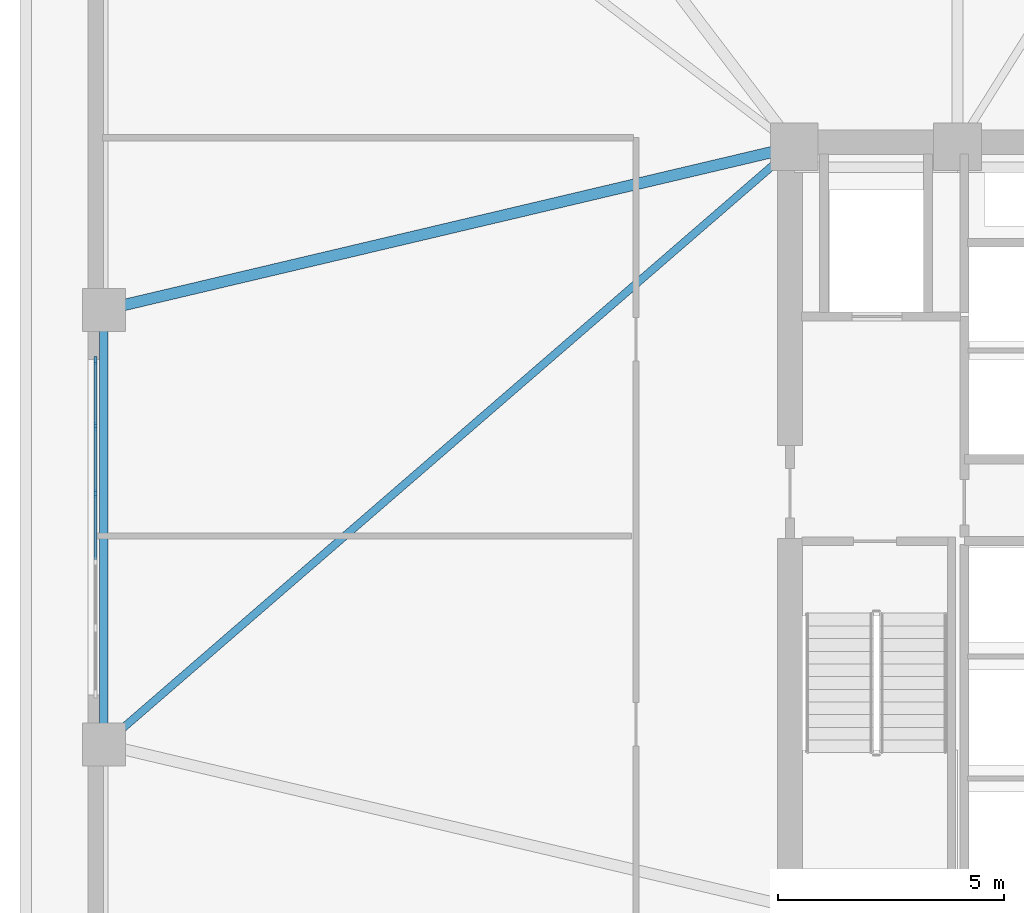
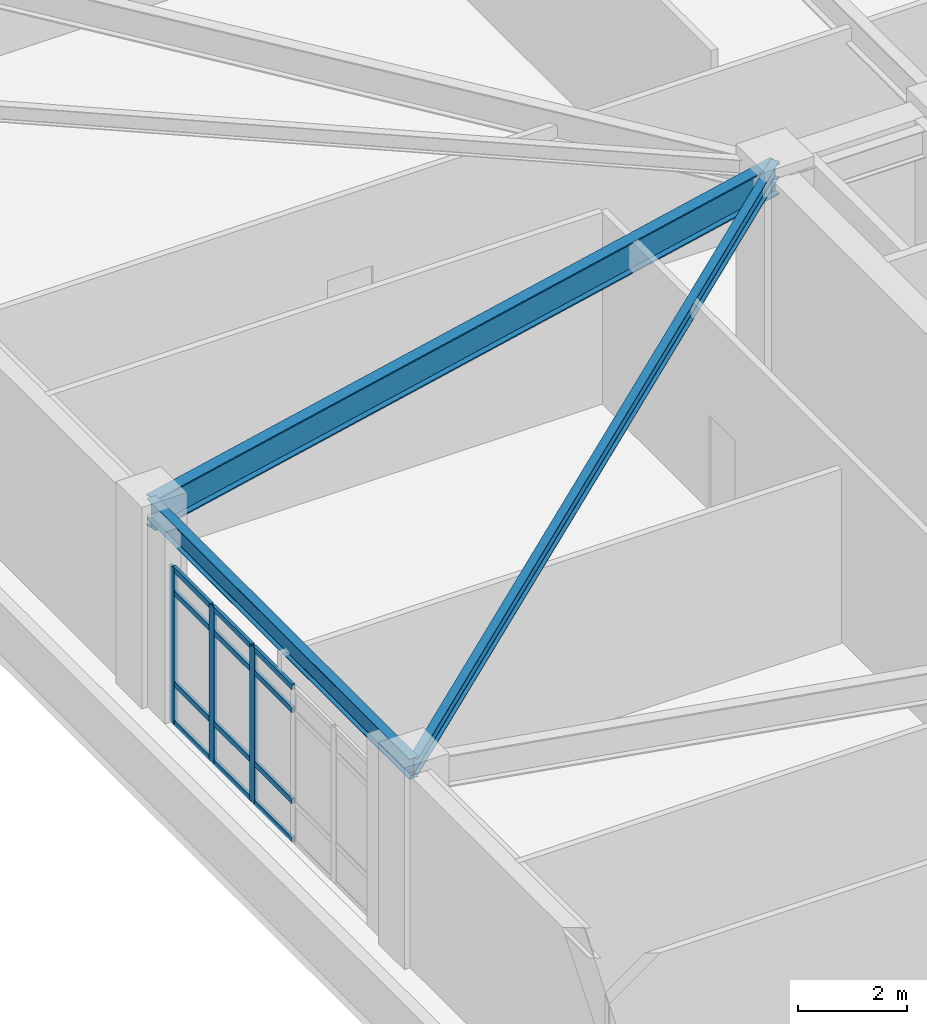
# One storey, part 3 of 13: 15 members, 3 beams, 1 element without a shape of its own.
"""IFC4 building model written with IfcOpenShell, lengths in metres."""

from ifc_helpers import new_model, si_unit, direction, frame, origin, origin_2d, place, context, subcontext, project, spatial, rectangle, i_section, extrude, material, layer, layer_set, material_profile, profile_set, type_object, element, aggregate, save


model = new_model("IFC4")

# Units and contexts
model_context = context("Model", 3, precision=1e-05, world=origin(), true_north=direction((0.0, 1.0)))
body_context = subcontext(model_context, "Body", "Model", "MODEL_VIEW")
ifc_project = project(units=[si_unit("LENGTHUNIT", "METRE"), si_unit("AREAUNIT", "SQUARE_METRE"), si_unit("VOLUMEUNIT", "CUBIC_METRE"), si_unit("PLANEANGLEUNIT", "RADIAN"), si_unit("MASSUNIT", "GRAM", prefix="KILO")], contexts=[model_context])

# Site, building, storey
site_placement = place(None, origin())
site = spatial("IfcSite", under=ifc_project, at=site_placement, CompositionType="ELEMENT")
building_placement = place(site_placement, origin())
building = spatial("IfcBuilding", under=site, at=building_placement, Name="Cairnveth Concourse Tower", CompositionType="ELEMENT")
storey_placement = place(building_placement, frame((0.0, 0.0, 101.5)))
storey = spatial("IfcBuildingStorey", under=building, at=storey_placement, Name="L27", CompositionType="ELEMENT", Elevation=101.5)

# Curtain wall, members
ifc_material_1 = material(Name="Architectural Bronze Anodised Aluminium 6063-T6", Category="aluminium")
ifc_layer = layer(ifc_material_1, 0.320068359375)
ifc_layer_set = layer_set([ifc_layer], Name="Architectural Bronze Anodised Aluminium 6063-T6")
curtain_wall_type = type_object("IfcCurtainWallType", Name="SKY LOBBY WINTERGARDEN CURTAIN WALL", PredefinedType="USERDEFINED", material=ifc_layer_set)
curtain_wall_placement = place(storey_placement, origin())
curtain_wall = element("IfcCurtainWall", 1, at=curtain_wall_placement, inside=storey, type_object=curtain_wall_type, Name="Curtain Wall CW-L27-F9", ObjectType="UNITISED FACADE", PredefinedType="USERDEFINED")
ifc_material_profile_1 = material_profile(ifc_material_1, rectangle(XDim=0.06494140625, YDim=0.179931640625, at=origin_2d()), Name="AL-MUL-65x180")
ifc_profile_set_1 = profile_set([ifc_material_profile_1], Name="Architectural Bronze Anodised Aluminium 6063-T6")
member_type_1 = type_object("IfcMemberType", Name="BRONZE CURTAIN WALL MULLION AL-MUL-65x180", PredefinedType="MULLION", material=ifc_profile_set_1)
member_1_placement = place(storey_placement, frame((28.169921875, 39.742919921875, 0.0), z_axis=(0.0, 0.0, 1.0), x_axis=(-1.0, 0.0, 0.0)))
member_1 = element("IfcMember", 2, at=member_1_placement, type_object=member_type_1, Name="CWS4 mullion 4", PredefinedType="MULLION", context=body_context, shape_type="SweptSolid", body=[
    extrude(rectangle(XDim=0.06494140625, YDim=0.179931640625, at=origin_2d()), origin(), (0.0, 0.0, 1.0), 3.47998046875),
])
member_2_placement = place(storey_placement, frame((28.169921875, 41.22900390625, 0.0), z_axis=(0.0, 0.0, 1.0), x_axis=(-1.0, 0.0, 0.0)))
member_2 = element("IfcMember", 3, at=member_2_placement, type_object=member_type_1, Name="CWS4 mullion 5", PredefinedType="MULLION", context=body_context, shape_type="SweptSolid", body=[
    extrude(rectangle(XDim=0.06494140625, YDim=0.179931640625, at=origin_2d()), origin(), (0.0, 0.0, 1.0), 3.47998046875),
])
member_3_placement = place(storey_placement, frame((28.169921875, 42.6826171875, 0.0), z_axis=(0.0, 0.0, 1.0), x_axis=(-1.0, 0.0, 0.0)))
member_3 = element("IfcMember", 4, at=member_3_placement, type_object=member_type_1, Name="CWS4 mullion 6", PredefinedType="MULLION", context=body_context, shape_type="SweptSolid", body=[
    extrude(rectangle(XDim=0.06494140625, YDim=0.179931640625, at=origin_2d()), origin(), (0.0, 0.0, 1.0), 3.47998046875),
])
ifc_material_profile_2 = material_profile(ifc_material_1, rectangle(XDim=0.06494140625, YDim=0.1201171875, at=origin_2d()), Name="AL-TRN-65x120")
ifc_profile_set_2 = profile_set([ifc_material_profile_2], Name="Architectural Bronze Anodised Aluminium 6063-T6")
member_type_2 = type_object("IfcMemberType", Name="BRONZE CURTAIN WALL TRANSOM AL-TRN-65x120", PredefinedType="USERDEFINED", material=ifc_profile_set_2)
member_4_placement = place(storey_placement, frame((28.169921875, 38.28955078125, 0.032470703125), z_axis=(0.0, 1.0, 0.0), x_axis=(-1.0, 0.0, 0.0)))
member_4 = element("IfcMember", 5, at=member_4_placement, type_object=member_type_2, Name="CWS4 transom 3.1", ObjectType="TRANSOM", PredefinedType="USERDEFINED", context=body_context, shape_type="SweptSolid", body=[
    extrude(rectangle(XDim=0.06494140625, YDim=0.1201171875, at=origin_2d()), origin(), (0.0, 0.0, 1.0), 1.4208984375),
])
member_5_placement = place(storey_placement, frame((28.169921875, 38.28955078125, 0.89990234375), z_axis=(0.0, 1.0, 0.0), x_axis=(-1.0, 0.0, 0.0)))
member_5 = element("IfcMember", 6, at=member_5_placement, type_object=member_type_2, Name="CWS4 transom 3.2", ObjectType="TRANSOM", PredefinedType="USERDEFINED", context=body_context, shape_type="SweptSolid", body=[
    extrude(rectangle(XDim=0.06494140625, YDim=0.1201171875, at=origin_2d()), origin(), (0.0, 0.0, 1.0), 1.4208984375),
])
member_6_placement = place(storey_placement, frame((28.169921875, 38.28955078125, 2.929931640625), z_axis=(0.0, 1.0, 0.0), x_axis=(-1.0, 0.0, 0.0)))
member_6 = element("IfcMember", 7, at=member_6_placement, type_object=member_type_2, Name="CWS4 transom 3.3", ObjectType="TRANSOM", PredefinedType="USERDEFINED", context=body_context, shape_type="SweptSolid", body=[
    extrude(rectangle(XDim=0.06494140625, YDim=0.1201171875, at=origin_2d()), origin(), (0.0, 0.0, 1.0), 1.4208984375),
])
member_7_placement = place(storey_placement, frame((28.169921875, 38.28955078125, 3.447509765625), z_axis=(0.0, 1.0, 0.0), x_axis=(-1.0, 0.0, 0.0)))
member_7 = element("IfcMember", 8, at=member_7_placement, type_object=member_type_2, Name="CWS4 transom 3.4", ObjectType="TRANSOM", PredefinedType="USERDEFINED", context=body_context, shape_type="SweptSolid", body=[
    extrude(rectangle(XDim=0.06494140625, YDim=0.1201171875, at=origin_2d()), origin(), (0.0, 0.0, 1.0), 1.4208984375),
])
member_8_placement = place(storey_placement, frame((28.169921875, 39.775390625, 0.032470703125), z_axis=(0.0, 1.0, 0.0), x_axis=(-1.0, 0.0, 0.0)))
member_8 = element("IfcMember", 9, at=member_8_placement, type_object=member_type_2, Name="CWS4 transom 4.1", ObjectType="TRANSOM", PredefinedType="USERDEFINED", context=body_context, shape_type="SweptSolid", body=[
    extrude(rectangle(XDim=0.06494140625, YDim=0.1201171875, at=origin_2d()), origin(), (0.0, 0.0, 1.0), 1.421142578125),
])
member_9_placement = place(storey_placement, frame((28.169921875, 39.775390625, 0.89990234375), z_axis=(0.0, 1.0, 0.0), x_axis=(-1.0, 0.0, 0.0)))
member_9 = element("IfcMember", 10, at=member_9_placement, type_object=member_type_2, Name="CWS4 transom 4.2", ObjectType="TRANSOM", PredefinedType="USERDEFINED", context=body_context, shape_type="SweptSolid", body=[
    extrude(rectangle(XDim=0.06494140625, YDim=0.1201171875, at=origin_2d()), origin(), (0.0, 0.0, 1.0), 1.421142578125),
])
member_10_placement = place(storey_placement, frame((28.169921875, 39.775390625, 2.929931640625), z_axis=(0.0, 1.0, 0.0), x_axis=(-1.0, 0.0, 0.0)))
member_10 = element("IfcMember", 11, at=member_10_placement, type_object=member_type_2, Name="CWS4 transom 4.3", ObjectType="TRANSOM", PredefinedType="USERDEFINED", context=body_context, shape_type="SweptSolid", body=[
    extrude(rectangle(XDim=0.06494140625, YDim=0.1201171875, at=origin_2d()), origin(), (0.0, 0.0, 1.0), 1.421142578125),
])
member_11_placement = place(storey_placement, frame((28.169921875, 39.775390625, 3.447509765625), z_axis=(0.0, 1.0, 0.0), x_axis=(-1.0, 0.0, 0.0)))
member_11 = element("IfcMember", 12, at=member_11_placement, type_object=member_type_2, Name="CWS4 transom 4.4", ObjectType="TRANSOM", PredefinedType="USERDEFINED", context=body_context, shape_type="SweptSolid", body=[
    extrude(rectangle(XDim=0.06494140625, YDim=0.1201171875, at=origin_2d()), origin(), (0.0, 0.0, 1.0), 1.421142578125),
])
member_12_placement = place(storey_placement, frame((28.169921875, 41.261474609375, 0.032470703125), z_axis=(0.0, 1.0, 0.0), x_axis=(-1.0, 0.0, 0.0)))
member_12 = element("IfcMember", 13, at=member_12_placement, type_object=member_type_2, Name="CWS4 transom 5.1", ObjectType="TRANSOM", PredefinedType="USERDEFINED", context=body_context, shape_type="SweptSolid", body=[
    extrude(rectangle(XDim=0.06494140625, YDim=0.1201171875, at=origin_2d()), origin(), (0.0, 0.0, 1.0), 1.388427734375),
])
member_13_placement = place(storey_placement, frame((28.169921875, 41.261474609375, 0.89990234375), z_axis=(0.0, 1.0, 0.0), x_axis=(-1.0, 0.0, 0.0)))
member_13 = element("IfcMember", 14, at=member_13_placement, type_object=member_type_2, Name="CWS4 transom 5.2", ObjectType="TRANSOM", PredefinedType="USERDEFINED", context=body_context, shape_type="SweptSolid", body=[
    extrude(rectangle(XDim=0.06494140625, YDim=0.1201171875, at=origin_2d()), origin(), (0.0, 0.0, 1.0), 1.388427734375),
])
member_14_placement = place(storey_placement, frame((28.169921875, 41.261474609375, 2.929931640625), z_axis=(0.0, 1.0, 0.0), x_axis=(-1.0, 0.0, 0.0)))
member_14 = element("IfcMember", 15, at=member_14_placement, type_object=member_type_2, Name="CWS4 transom 5.3", ObjectType="TRANSOM", PredefinedType="USERDEFINED", context=body_context, shape_type="SweptSolid", body=[
    extrude(rectangle(XDim=0.06494140625, YDim=0.1201171875, at=origin_2d()), origin(), (0.0, 0.0, 1.0), 1.388427734375),
])
member_15_placement = place(storey_placement, frame((28.169921875, 41.261474609375, 3.447509765625), z_axis=(0.0, 1.0, 0.0), x_axis=(-1.0, 0.0, 0.0)))
member_15 = element("IfcMember", 16, at=member_15_placement, type_object=member_type_2, Name="CWS4 transom 5.4", ObjectType="TRANSOM", PredefinedType="USERDEFINED", context=body_context, shape_type="SweptSolid", body=[
    extrude(rectangle(XDim=0.06494140625, YDim=0.1201171875, at=origin_2d()), origin(), (0.0, 0.0, 1.0), 1.388427734375),
])
aggregate(curtain_wall, [member_1, member_2, member_3, member_4, member_5, member_6, member_7, member_8, member_9, member_10, member_11, member_12, member_13, member_14, member_15])

# Beams
ifc_material_2 = material(Name="Steel Grade 350", Category="steel")
ifc_material_profile_3 = material_profile(ifc_material_2, i_section(OverallWidth=0.172119140625, OverallDepth=0.35888671875, WebThickness=0.008056640625, FlangeThickness=0.012939453125, FilletRadius=0.010986328125, at=origin_2d()), Name="360UB56.7")
ifc_profile_set_3 = profile_set([ifc_material_profile_3], Name="Steel Grade 350")
beam_type_1 = type_object("IfcBeamType", Name="ZONE 2 FLOOR JOIST 360UB56.7", PredefinedType="JOIST", material=ifc_profile_set_3)
beam_1_placement = place(storey_placement, frame((28.35009765625, 34.199951171875, 4.1005859375), z_axis=(0.756099107057, 0.654457134049, 0.0), x_axis=(-0.654457134049, 0.756099107057, 0.0)))
element("IfcBeam", 17, at=beam_1_placement, inside=storey, type_object=beam_type_1, Name="Beam FJ-W-M1 L27", PredefinedType="JOIST", context=body_context, shape_type="SweptSolid", body=[
    extrude(i_section(OverallWidth=0.172119140625, OverallDepth=0.35888671875, WebThickness=0.008056640625, FlangeThickness=0.012939453125, FilletRadius=0.010986328125, at=origin_2d()), origin(), (0.0, 0.0, 1.0), 20.16943359375),
])
ifc_material_profile_4 = material_profile(ifc_material_2, i_section(OverallWidth=0.25, OverallDepth=0.699951171875, WebThickness=0.011962890625, FlangeThickness=0.028076171875, at=origin_2d()), Name="700WB173")
ifc_profile_set_4 = profile_set([ifc_material_profile_4], Name="Steel Grade 350")
beam_type_2 = type_object("IfcBeamType", Name="ZONE 2 RADIAL GIRDER 700WB173", PredefinedType="BEAM", material=ifc_profile_set_4)
beam_2_placement = place(storey_placement, frame((28.35009765625, 43.800048828125, 3.929931640625), z_axis=(0.973251602929, 0.229741849468, 0.0), x_axis=(-0.229741849468, 0.973251602929, 0.0)))
element("IfcBeam", 18, at=beam_2_placement, inside=storey, type_object=beam_type_2, Name="Beam RG-W2 L27", PredefinedType="BEAM", context=body_context, shape_type="SweptSolid", body=[
    extrude(i_section(OverallWidth=0.25, OverallDepth=0.699951171875, WebThickness=0.011962890625, FlangeThickness=0.028076171875, at=origin_2d()), origin(), (0.0, 0.0, 1.0), 15.669189453125),
])
ifc_material_profile_5 = material_profile(ifc_material_2, i_section(OverallWidth=0.18994140625, OverallDepth=0.45703125, WebThickness=0.009033203125, FlangeThickness=0.014404296875, FilletRadius=0.010986328125, at=origin_2d()), Name="460UB74.6")
ifc_profile_set_5 = profile_set([ifc_material_profile_5], Name="Steel Grade 350")
beam_type_3 = type_object("IfcBeamType", Name="ZONE 2 SPANDREL BEAM 460UB74.6", PredefinedType="SPANDREL", material=ifc_profile_set_5)
beam_3_placement = place(storey_placement, frame((28.35009765625, 34.199951171875, 4.051513671875), z_axis=(0.0, 1.0, 0.0), x_axis=(-1.0, 0.0, 0.0)))
element("IfcBeam", 19, at=beam_3_placement, inside=storey, type_object=beam_type_3, Name="Beam SP-W2 L27", PredefinedType="SPANDREL", context=body_context, shape_type="SweptSolid", body=[
    extrude(i_section(OverallWidth=0.18994140625, OverallDepth=0.45703125, WebThickness=0.009033203125, FlangeThickness=0.014404296875, FilletRadius=0.010986328125, at=origin_2d()), origin(), (0.0, 0.0, 1.0), 9.60009765625),
])

save(model, "model.ifc")
